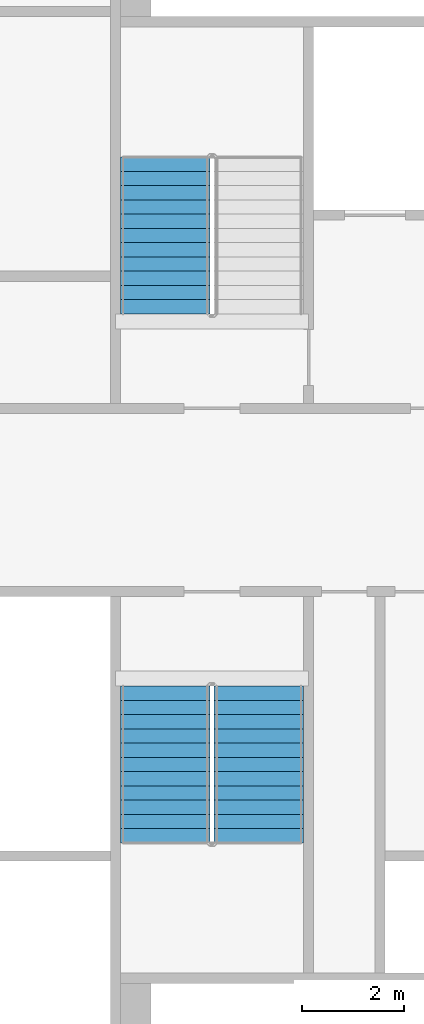
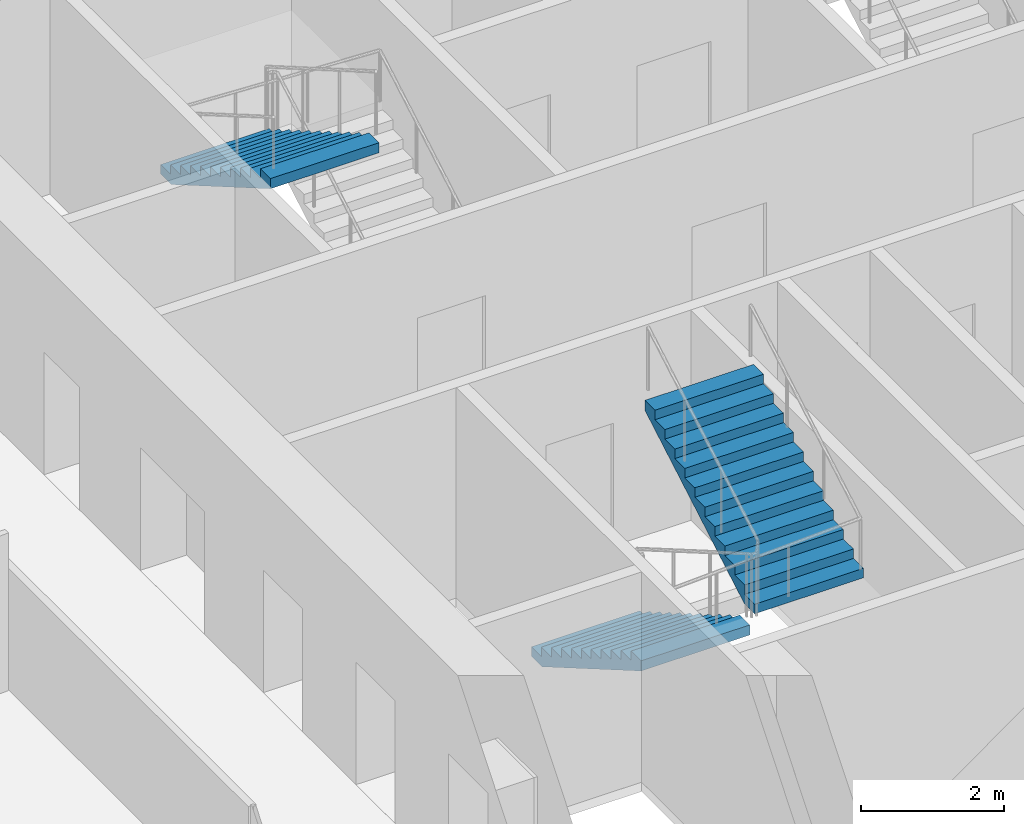
# One storey, part 8 of 13: 3 stair flights, 2 elements without a shape of their own.
"""IFC4 building model written with IfcOpenShell, lengths in metres."""

from ifc_helpers import new_model, si_unit, direction, frame, origin, place, context, subcontext, project, spatial, faceted_brep, material, type_object, element, aggregate, save


model = new_model("IFC4")

# Units and contexts
model_context = context("Model", 3, precision=1e-05, world=origin(), true_north=direction((0.0, 1.0)))
body_context = subcontext(model_context, "Body", "Model", "MODEL_VIEW")
ifc_project = project(units=[si_unit("LENGTHUNIT", "METRE"), si_unit("AREAUNIT", "SQUARE_METRE"), si_unit("VOLUMEUNIT", "CUBIC_METRE"), si_unit("PLANEANGLEUNIT", "RADIAN"), si_unit("MASSUNIT", "GRAM", prefix="KILO")], contexts=[model_context])

# Site, building, storey
site_placement = place(None, origin())
site = spatial("IfcSite", under=ifc_project, at=site_placement, CompositionType="ELEMENT")
building_placement = place(site_placement, origin())
building = spatial("IfcBuilding", under=site, at=building_placement, Name="Tarsis Ring Headquarters", CompositionType="ELEMENT")
storey_placement = place(building_placement, frame((0.0, 0.0, 135.699951171875)))
storey = spatial("IfcBuildingStorey", under=building, at=storey_placement, Name="L31", CompositionType="ELEMENT", Elevation=135.699951171875)

# Stair, stair flight
ifc_material_1 = material(Name="Core stair 1760")
stair_type = type_object("IfcStairType", Name="Core stair 1760", PredefinedType="HALF_TURN_STAIR", material=ifc_material_1)
stair_1_placement = place(storey_placement, origin())
stair_1 = element("IfcStair", 1, at=stair_1_placement, inside=storey, type_object=stair_type, Name="L31 Firefighting stair", PredefinedType="HALF_TURN_STAIR")
ifc_material_2 = material(Name="Concrete C40/50", Category="concrete")
stair_flight_type = type_object("IfcStairFlightType", Name="Core stair flight 1760", PredefinedType="STRAIGHT", material=ifc_material_2)
stair_flight_1_placement = place(storey_placement, frame((-5.419921875, 6.739990234375, 1.949951171875), z_axis=(0.0, 0.0, 1.0), x_axis=(0.0, -1.0, 0.0)))
stair_flight_1 = element("IfcStairFlight", 2, at=stair_flight_1_placement, type_object=stair_flight_type, Name="Stair ST1 flight 2", NumberOfRisers=12, NumberOfTreads=11, PredefinedType="STRAIGHT", RiserHeight=0.1625, TreadLength=0.28, context=body_context, shape_type="Brep", body=[
    faceted_brep([(0.0, 0.8798828125, 0.0), (0.0, 0.8798828125, 0.16259765625), (0.280029296875, 0.8798828125, 0.16259765625), (0.280029296875, 0.8798828125, 0.324951171875), (0.56005859375, 0.8798828125, 0.324951171875), (0.56005859375, 0.8798828125, 0.487548828125), (0.840087890625, 0.8798828125, 0.487548828125), (0.840087890625, 0.8798828125, 0.64990234375), (1.1201171875, 0.8798828125, 0.64990234375), (1.1201171875, 0.8798828125, 0.8125), (1.39990234375, 0.8798828125, 0.8125), (1.39990234375, 0.8798828125, 0.97509765625), (1.679931640625, 0.8798828125, 0.97509765625), (1.679931640625, 0.8798828125, 1.137451171875), (1.9599609375, 0.8798828125, 1.137451171875), (1.9599609375, 0.8798828125, 1.300048828125), (2.239990234375, 0.8798828125, 1.300048828125), (2.239990234375, 0.8798828125, 1.46240234375), (2.52001953125, 0.8798828125, 1.46240234375), (2.52001953125, 0.8798828125, 1.625), (2.800048828125, 0.8798828125, 1.625), (2.800048828125, 0.8798828125, 1.78759765625), (3.080078125, 0.8798828125, 1.78759765625), (3.080078125, 0.8798828125, 1.6142578125), (0.298583984375, 0.8798828125, 0.0), (0.298583984375, -0.8798828125, 0.0), (3.080078125, -0.8798828125, 1.6142578125), (3.080078125, -0.8798828125, 1.78759765625), (2.800048828125, -0.8798828125, 1.78759765625), (2.800048828125, -0.8798828125, 1.625), (2.52001953125, -0.8798828125, 1.625), (2.52001953125, -0.8798828125, 1.46240234375), (2.239990234375, -0.8798828125, 1.46240234375), (2.239990234375, -0.8798828125, 1.300048828125), (1.9599609375, -0.8798828125, 1.300048828125), (1.9599609375, -0.8798828125, 1.137451171875), (1.679931640625, -0.8798828125, 1.137451171875), (1.679931640625, -0.8798828125, 0.97509765625), (1.39990234375, -0.8798828125, 0.97509765625), (1.39990234375, -0.8798828125, 0.8125), (1.1201171875, -0.8798828125, 0.8125), (1.1201171875, -0.8798828125, 0.64990234375), (0.840087890625, -0.8798828125, 0.64990234375), (0.840087890625, -0.8798828125, 0.487548828125), (0.56005859375, -0.8798828125, 0.487548828125), (0.56005859375, -0.8798828125, 0.324951171875), (0.280029296875, -0.8798828125, 0.324951171875), (0.280029296875, -0.8798828125, 0.16259765625), (0.0, -0.8798828125, 0.16259765625), (0.0, -0.8798828125, 0.0), (0.0, -0.43994140625, 0.16259765625), (0.0, -0.43994140625, 0.0), (0.0, 0.0, 0.16259765625), (0.0, 0.0, 0.0), (0.0, 0.43994140625, 0.16259765625), (0.0, 0.43994140625, 0.0), (0.280029296875, -0.43994140625, 0.16259765625), (0.280029296875, 0.0, 0.16259765625), (0.280029296875, 0.43994140625, 0.16259765625), (0.280029296875, -0.43994140625, 0.324951171875), (0.280029296875, 0.0, 0.324951171875), (0.280029296875, 0.43994140625, 0.324951171875), (0.56005859375, -0.43994140625, 0.324951171875), (0.56005859375, 0.0, 0.324951171875), (0.56005859375, 0.43994140625, 0.324951171875), (0.56005859375, -0.43994140625, 0.487548828125), (0.56005859375, 0.0, 0.487548828125), (0.56005859375, 0.43994140625, 0.487548828125), (0.840087890625, -0.43994140625, 0.487548828125), (0.840087890625, 0.0, 0.487548828125), (0.840087890625, 0.43994140625, 0.487548828125), (0.840087890625, -0.43994140625, 0.64990234375), (0.840087890625, 0.0, 0.64990234375), (0.840087890625, 0.43994140625, 0.64990234375), (1.1201171875, -0.43994140625, 0.64990234375), (1.1201171875, 0.0, 0.64990234375), (1.1201171875, 0.43994140625, 0.64990234375), (1.1201171875, -0.43994140625, 0.8125), (1.1201171875, 0.0, 0.8125), (1.1201171875, 0.43994140625, 0.8125), (1.39990234375, -0.43994140625, 0.8125), (1.39990234375, 0.0, 0.8125), (1.39990234375, 0.43994140625, 0.8125), (1.39990234375, -0.43994140625, 0.97509765625), (1.39990234375, 0.0, 0.97509765625), (1.39990234375, 0.43994140625, 0.97509765625), (1.679931640625, -0.43994140625, 0.97509765625), (1.679931640625, 0.0, 0.97509765625), (1.679931640625, 0.43994140625, 0.97509765625), (1.679931640625, -0.43994140625, 1.137451171875), (1.679931640625, 0.0, 1.137451171875), (1.679931640625, 0.43994140625, 1.137451171875), (1.9599609375, -0.43994140625, 1.137451171875), (1.9599609375, 0.0, 1.137451171875), (1.9599609375, 0.43994140625, 1.137451171875), (1.9599609375, -0.43994140625, 1.300048828125), (1.9599609375, 0.0, 1.300048828125), (1.9599609375, 0.43994140625, 1.300048828125), (2.239990234375, -0.43994140625, 1.300048828125), (2.239990234375, 0.0, 1.300048828125), (2.239990234375, 0.43994140625, 1.300048828125), (2.239990234375, -0.43994140625, 1.46240234375), (2.239990234375, 0.0, 1.46240234375), (2.239990234375, 0.43994140625, 1.46240234375), (2.52001953125, -0.43994140625, 1.46240234375), (2.52001953125, 0.0, 1.46240234375), (2.52001953125, 0.43994140625, 1.46240234375), (2.52001953125, -0.43994140625, 1.625), (2.52001953125, 0.0, 1.625), (2.52001953125, 0.43994140625, 1.625), (2.800048828125, -0.43994140625, 1.625), (2.800048828125, 0.0, 1.625), (2.800048828125, 0.43994140625, 1.625), (2.800048828125, -0.43994140625, 1.78759765625), (2.800048828125, 0.0, 1.78759765625), (2.800048828125, 0.43994140625, 1.78759765625), (3.080078125, -0.43994140625, 1.78759765625), (3.080078125, 0.0, 1.78759765625), (3.080078125, 0.43994140625, 1.78759765625), (3.080078125, -0.43994140625, 1.6142578125), (3.080078125, 0.0, 1.6142578125), (3.080078125, 0.43994140625, 1.6142578125), (0.298583984375, -0.43994140625, 0.0), (0.298583984375, 0.0, 0.0), (0.298583984375, 0.43994140625, 0.0)], [[[0, 1, 2, 3, 4, 5, 6, 7, 8, 9, 10, 11, 12, 13, 14, 15, 16, 17, 18, 19, 20, 21, 22, 23, 24]], [[25, 26, 27, 28, 29, 30, 31, 32, 33, 34, 35, 36, 37, 38, 39, 40, 41, 42, 43, 44, 45, 46, 47, 48, 49]], [[49, 48, 50, 51]], [[51, 50, 52, 53]], [[53, 52, 54, 55]], [[55, 54, 1, 0]], [[48, 47, 56, 50]], [[50, 56, 57, 52]], [[52, 57, 58, 54]], [[54, 58, 2, 1]], [[47, 46, 59, 56]], [[56, 59, 60, 57]], [[57, 60, 61, 58]], [[58, 61, 3, 2]], [[46, 45, 62, 59]], [[59, 62, 63, 60]], [[60, 63, 64, 61]], [[61, 64, 4, 3]], [[45, 44, 65, 62]], [[62, 65, 66, 63]], [[63, 66, 67, 64]], [[64, 67, 5, 4]], [[44, 43, 68, 65]], [[65, 68, 69, 66]], [[66, 69, 70, 67]], [[67, 70, 6, 5]], [[43, 42, 71, 68]], [[68, 71, 72, 69]], [[69, 72, 73, 70]], [[70, 73, 7, 6]], [[42, 41, 74, 71]], [[71, 74, 75, 72]], [[72, 75, 76, 73]], [[73, 76, 8, 7]], [[41, 40, 77, 74]], [[74, 77, 78, 75]], [[75, 78, 79, 76]], [[76, 79, 9, 8]], [[40, 39, 80, 77]], [[77, 80, 81, 78]], [[78, 81, 82, 79]], [[79, 82, 10, 9]], [[39, 38, 83, 80]], [[80, 83, 84, 81]], [[81, 84, 85, 82]], [[82, 85, 11, 10]], [[38, 37, 86, 83]], [[83, 86, 87, 84]], [[84, 87, 88, 85]], [[85, 88, 12, 11]], [[37, 36, 89, 86]], [[86, 89, 90, 87]], [[87, 90, 91, 88]], [[88, 91, 13, 12]], [[36, 35, 92, 89]], [[89, 92, 93, 90]], [[90, 93, 94, 91]], [[91, 94, 14, 13]], [[35, 34, 95, 92]], [[92, 95, 96, 93]], [[93, 96, 97, 94]], [[94, 97, 15, 14]], [[34, 33, 98, 95]], [[95, 98, 99, 96]], [[96, 99, 100, 97]], [[97, 100, 16, 15]], [[33, 32, 101, 98]], [[98, 101, 102, 99]], [[99, 102, 103, 100]], [[100, 103, 17, 16]], [[32, 31, 104, 101]], [[101, 104, 105, 102]], [[102, 105, 106, 103]], [[103, 106, 18, 17]], [[31, 30, 107, 104]], [[104, 107, 108, 105]], [[105, 108, 109, 106]], [[106, 109, 19, 18]], [[30, 29, 110, 107]], [[107, 110, 111, 108]], [[108, 111, 112, 109]], [[109, 112, 20, 19]], [[29, 28, 113, 110]], [[110, 113, 114, 111]], [[111, 114, 115, 112]], [[112, 115, 21, 20]], [[28, 27, 116, 113]], [[113, 116, 117, 114]], [[114, 117, 118, 115]], [[115, 118, 22, 21]], [[27, 26, 119, 116]], [[116, 119, 120, 117]], [[117, 120, 121, 118]], [[118, 121, 23, 22]], [[26, 25, 122, 119]], [[119, 122, 123, 120]], [[120, 123, 124, 121]], [[121, 124, 24, 23]], [[25, 49, 51, 122]], [[122, 51, 53, 123]], [[123, 53, 55, 124]], [[124, 55, 0, 24]]]),
])
aggregate(stair_1, [stair_flight_1])

# Stair, stair flights
stair_2_placement = place(storey_placement, origin())
stair_2 = element("IfcStair", 3, at=stair_2_placement, inside=storey, type_object=stair_type, Name="L31 Exit stair C", PredefinedType="HALF_TURN_STAIR")
stair_flight_2_placement = place(storey_placement, frame((-5.419921875, -3.659912109375, 0.0), z_axis=(0.0, 0.0, 1.0), x_axis=(0.0, -1.0, 0.0)))
stair_flight_2 = element("IfcStairFlight", 4, at=stair_flight_2_placement, type_object=stair_flight_type, Name="Stair ST3 flight 1", NumberOfRisers=12, NumberOfTreads=11, PredefinedType="STRAIGHT", RiserHeight=0.1625, TreadLength=0.28, context=body_context, shape_type="Brep", body=[
    faceted_brep([(0.0, 0.8798828125, 0.0), (0.0, 0.8798828125, 0.16259765625), (0.280029296875, 0.8798828125, 0.16259765625), (0.280029296875, 0.8798828125, 0.324951171875), (0.56005859375, 0.8798828125, 0.324951171875), (0.56005859375, 0.8798828125, 0.487548828125), (0.840087890625, 0.8798828125, 0.487548828125), (0.840087890625, 0.8798828125, 0.64990234375), (1.1201171875, 0.8798828125, 0.64990234375), (1.1201171875, 0.8798828125, 0.8125), (1.39990234375, 0.8798828125, 0.8125), (1.39990234375, 0.8798828125, 0.97509765625), (1.679931640625, 0.8798828125, 0.97509765625), (1.679931640625, 0.8798828125, 1.137451171875), (1.9599609375, 0.8798828125, 1.137451171875), (1.9599609375, 0.8798828125, 1.300048828125), (2.239990234375, 0.8798828125, 1.300048828125), (2.239990234375, 0.8798828125, 1.46240234375), (2.52001953125, 0.8798828125, 1.46240234375), (2.52001953125, 0.8798828125, 1.625), (2.800048828125, 0.8798828125, 1.625), (2.800048828125, 0.8798828125, 1.78759765625), (3.080078125, 0.8798828125, 1.78759765625), (3.080078125, 0.8798828125, 1.6142578125), (0.298583984375, 0.8798828125, 0.0), (0.298583984375, -0.8798828125, 0.0), (3.080078125, -0.8798828125, 1.6142578125), (3.080078125, -0.8798828125, 1.78759765625), (2.800048828125, -0.8798828125, 1.78759765625), (2.800048828125, -0.8798828125, 1.625), (2.52001953125, -0.8798828125, 1.625), (2.52001953125, -0.8798828125, 1.46240234375), (2.239990234375, -0.8798828125, 1.46240234375), (2.239990234375, -0.8798828125, 1.300048828125), (1.9599609375, -0.8798828125, 1.300048828125), (1.9599609375, -0.8798828125, 1.137451171875), (1.679931640625, -0.8798828125, 1.137451171875), (1.679931640625, -0.8798828125, 0.97509765625), (1.39990234375, -0.8798828125, 0.97509765625), (1.39990234375, -0.8798828125, 0.8125), (1.1201171875, -0.8798828125, 0.8125), (1.1201171875, -0.8798828125, 0.64990234375), (0.840087890625, -0.8798828125, 0.64990234375), (0.840087890625, -0.8798828125, 0.487548828125), (0.56005859375, -0.8798828125, 0.487548828125), (0.56005859375, -0.8798828125, 0.324951171875), (0.280029296875, -0.8798828125, 0.324951171875), (0.280029296875, -0.8798828125, 0.16259765625), (0.0, -0.8798828125, 0.16259765625), (0.0, -0.8798828125, 0.0), (0.0, -0.43994140625, 0.16259765625), (0.0, -0.43994140625, 0.0), (0.0, 0.0, 0.16259765625), (0.0, 0.0, 0.0), (0.0, 0.43994140625, 0.16259765625), (0.0, 0.43994140625, 0.0), (0.280029296875, -0.43994140625, 0.16259765625), (0.280029296875, 0.0, 0.16259765625), (0.280029296875, 0.43994140625, 0.16259765625), (0.280029296875, -0.43994140625, 0.324951171875), (0.280029296875, 0.0, 0.324951171875), (0.280029296875, 0.43994140625, 0.324951171875), (0.56005859375, -0.43994140625, 0.324951171875), (0.56005859375, 0.0, 0.324951171875), (0.56005859375, 0.43994140625, 0.324951171875), (0.56005859375, -0.43994140625, 0.487548828125), (0.56005859375, 0.0, 0.487548828125), (0.56005859375, 0.43994140625, 0.487548828125), (0.840087890625, -0.43994140625, 0.487548828125), (0.840087890625, 0.0, 0.487548828125), (0.840087890625, 0.43994140625, 0.487548828125), (0.840087890625, -0.43994140625, 0.64990234375), (0.840087890625, 0.0, 0.64990234375), (0.840087890625, 0.43994140625, 0.64990234375), (1.1201171875, -0.43994140625, 0.64990234375), (1.1201171875, 0.0, 0.64990234375), (1.1201171875, 0.43994140625, 0.64990234375), (1.1201171875, -0.43994140625, 0.8125), (1.1201171875, 0.0, 0.8125), (1.1201171875, 0.43994140625, 0.8125), (1.39990234375, -0.43994140625, 0.8125), (1.39990234375, 0.0, 0.8125), (1.39990234375, 0.43994140625, 0.8125), (1.39990234375, -0.43994140625, 0.97509765625), (1.39990234375, 0.0, 0.97509765625), (1.39990234375, 0.43994140625, 0.97509765625), (1.679931640625, -0.43994140625, 0.97509765625), (1.679931640625, 0.0, 0.97509765625), (1.679931640625, 0.43994140625, 0.97509765625), (1.679931640625, -0.43994140625, 1.137451171875), (1.679931640625, 0.0, 1.137451171875), (1.679931640625, 0.43994140625, 1.137451171875), (1.9599609375, -0.43994140625, 1.137451171875), (1.9599609375, 0.0, 1.137451171875), (1.9599609375, 0.43994140625, 1.137451171875), (1.9599609375, -0.43994140625, 1.300048828125), (1.9599609375, 0.0, 1.300048828125), (1.9599609375, 0.43994140625, 1.300048828125), (2.239990234375, -0.43994140625, 1.300048828125), (2.239990234375, 0.0, 1.300048828125), (2.239990234375, 0.43994140625, 1.300048828125), (2.239990234375, -0.43994140625, 1.46240234375), (2.239990234375, 0.0, 1.46240234375), (2.239990234375, 0.43994140625, 1.46240234375), (2.52001953125, -0.43994140625, 1.46240234375), (2.52001953125, 0.0, 1.46240234375), (2.52001953125, 0.43994140625, 1.46240234375), (2.52001953125, -0.43994140625, 1.625), (2.52001953125, 0.0, 1.625), (2.52001953125, 0.43994140625, 1.625), (2.800048828125, -0.43994140625, 1.625), (2.800048828125, 0.0, 1.625), (2.800048828125, 0.43994140625, 1.625), (2.800048828125, -0.43994140625, 1.78759765625), (2.800048828125, 0.0, 1.78759765625), (2.800048828125, 0.43994140625, 1.78759765625), (3.080078125, -0.43994140625, 1.78759765625), (3.080078125, 0.0, 1.78759765625), (3.080078125, 0.43994140625, 1.78759765625), (3.080078125, -0.43994140625, 1.6142578125), (3.080078125, 0.0, 1.6142578125), (3.080078125, 0.43994140625, 1.6142578125), (0.298583984375, -0.43994140625, 0.0), (0.298583984375, 0.0, 0.0), (0.298583984375, 0.43994140625, 0.0)], [[[0, 1, 2, 3, 4, 5, 6, 7, 8, 9, 10, 11, 12, 13, 14, 15, 16, 17, 18, 19, 20, 21, 22, 23, 24]], [[25, 26, 27, 28, 29, 30, 31, 32, 33, 34, 35, 36, 37, 38, 39, 40, 41, 42, 43, 44, 45, 46, 47, 48, 49]], [[49, 48, 50, 51]], [[51, 50, 52, 53]], [[53, 52, 54, 55]], [[55, 54, 1, 0]], [[48, 47, 56, 50]], [[50, 56, 57, 52]], [[52, 57, 58, 54]], [[54, 58, 2, 1]], [[47, 46, 59, 56]], [[56, 59, 60, 57]], [[57, 60, 61, 58]], [[58, 61, 3, 2]], [[46, 45, 62, 59]], [[59, 62, 63, 60]], [[60, 63, 64, 61]], [[61, 64, 4, 3]], [[45, 44, 65, 62]], [[62, 65, 66, 63]], [[63, 66, 67, 64]], [[64, 67, 5, 4]], [[44, 43, 68, 65]], [[65, 68, 69, 66]], [[66, 69, 70, 67]], [[67, 70, 6, 5]], [[43, 42, 71, 68]], [[68, 71, 72, 69]], [[69, 72, 73, 70]], [[70, 73, 7, 6]], [[42, 41, 74, 71]], [[71, 74, 75, 72]], [[72, 75, 76, 73]], [[73, 76, 8, 7]], [[41, 40, 77, 74]], [[74, 77, 78, 75]], [[75, 78, 79, 76]], [[76, 79, 9, 8]], [[40, 39, 80, 77]], [[77, 80, 81, 78]], [[78, 81, 82, 79]], [[79, 82, 10, 9]], [[39, 38, 83, 80]], [[80, 83, 84, 81]], [[81, 84, 85, 82]], [[82, 85, 11, 10]], [[38, 37, 86, 83]], [[83, 86, 87, 84]], [[84, 87, 88, 85]], [[85, 88, 12, 11]], [[37, 36, 89, 86]], [[86, 89, 90, 87]], [[87, 90, 91, 88]], [[88, 91, 13, 12]], [[36, 35, 92, 89]], [[89, 92, 93, 90]], [[90, 93, 94, 91]], [[91, 94, 14, 13]], [[35, 34, 95, 92]], [[92, 95, 96, 93]], [[93, 96, 97, 94]], [[94, 97, 15, 14]], [[34, 33, 98, 95]], [[95, 98, 99, 96]], [[96, 99, 100, 97]], [[97, 100, 16, 15]], [[33, 32, 101, 98]], [[98, 101, 102, 99]], [[99, 102, 103, 100]], [[100, 103, 17, 16]], [[32, 31, 104, 101]], [[101, 104, 105, 102]], [[102, 105, 106, 103]], [[103, 106, 18, 17]], [[31, 30, 107, 104]], [[104, 107, 108, 105]], [[105, 108, 109, 106]], [[106, 109, 19, 18]], [[30, 29, 110, 107]], [[107, 110, 111, 108]], [[108, 111, 112, 109]], [[109, 112, 20, 19]], [[29, 28, 113, 110]], [[110, 113, 114, 111]], [[111, 114, 115, 112]], [[112, 115, 21, 20]], [[28, 27, 116, 113]], [[113, 116, 117, 114]], [[114, 117, 118, 115]], [[115, 118, 22, 21]], [[27, 26, 119, 116]], [[116, 119, 120, 117]], [[117, 120, 121, 118]], [[118, 121, 23, 22]], [[26, 25, 122, 119]], [[119, 122, 123, 120]], [[120, 123, 124, 121]], [[121, 124, 24, 23]], [[25, 49, 51, 122]], [[122, 51, 53, 123]], [[123, 53, 55, 124]], [[124, 55, 0, 24]]]),
])
stair_flight_3_placement = place(storey_placement, frame((-3.580078125, -6.739990234375, 1.949951171875), z_axis=(0.0, 0.0, 1.0), x_axis=(0.0, 1.0, 0.0)))
stair_flight_3 = element("IfcStairFlight", 5, at=stair_flight_3_placement, type_object=stair_flight_type, Name="Stair ST3 flight 2", NumberOfRisers=12, NumberOfTreads=11, PredefinedType="STRAIGHT", RiserHeight=0.1625, TreadLength=0.28, context=body_context, shape_type="Brep", body=[
    faceted_brep([(0.0, 0.8798828125, 0.0), (0.0, 0.8798828125, 0.16259765625), (0.280029296875, 0.8798828125, 0.16259765625), (0.280029296875, 0.8798828125, 0.324951171875), (0.56005859375, 0.8798828125, 0.324951171875), (0.56005859375, 0.8798828125, 0.487548828125), (0.840087890625, 0.8798828125, 0.487548828125), (0.840087890625, 0.8798828125, 0.64990234375), (1.1201171875, 0.8798828125, 0.64990234375), (1.1201171875, 0.8798828125, 0.8125), (1.39990234375, 0.8798828125, 0.8125), (1.39990234375, 0.8798828125, 0.97509765625), (1.679931640625, 0.8798828125, 0.97509765625), (1.679931640625, 0.8798828125, 1.137451171875), (1.9599609375, 0.8798828125, 1.137451171875), (1.9599609375, 0.8798828125, 1.300048828125), (2.239990234375, 0.8798828125, 1.300048828125), (2.239990234375, 0.8798828125, 1.46240234375), (2.52001953125, 0.8798828125, 1.46240234375), (2.52001953125, 0.8798828125, 1.625), (2.800048828125, 0.8798828125, 1.625), (2.800048828125, 0.8798828125, 1.78759765625), (3.080078125, 0.8798828125, 1.78759765625), (3.080078125, 0.8798828125, 1.6142578125), (0.298583984375, 0.8798828125, 0.0), (0.298583984375, -0.8798828125, 0.0), (3.080078125, -0.8798828125, 1.6142578125), (3.080078125, -0.8798828125, 1.78759765625), (2.800048828125, -0.8798828125, 1.78759765625), (2.800048828125, -0.8798828125, 1.625), (2.52001953125, -0.8798828125, 1.625), (2.52001953125, -0.8798828125, 1.46240234375), (2.239990234375, -0.8798828125, 1.46240234375), (2.239990234375, -0.8798828125, 1.300048828125), (1.9599609375, -0.8798828125, 1.300048828125), (1.9599609375, -0.8798828125, 1.137451171875), (1.679931640625, -0.8798828125, 1.137451171875), (1.679931640625, -0.8798828125, 0.97509765625), (1.39990234375, -0.8798828125, 0.97509765625), (1.39990234375, -0.8798828125, 0.8125), (1.1201171875, -0.8798828125, 0.8125), (1.1201171875, -0.8798828125, 0.64990234375), (0.840087890625, -0.8798828125, 0.64990234375), (0.840087890625, -0.8798828125, 0.487548828125), (0.56005859375, -0.8798828125, 0.487548828125), (0.56005859375, -0.8798828125, 0.324951171875), (0.280029296875, -0.8798828125, 0.324951171875), (0.280029296875, -0.8798828125, 0.16259765625), (0.0, -0.8798828125, 0.16259765625), (0.0, -0.8798828125, 0.0), (0.0, -0.43994140625, 0.16259765625), (0.0, -0.43994140625, 0.0), (0.0, 0.0, 0.16259765625), (0.0, 0.0, 0.0), (0.0, 0.43994140625, 0.16259765625), (0.0, 0.43994140625, 0.0), (0.280029296875, -0.43994140625, 0.16259765625), (0.280029296875, 0.0, 0.16259765625), (0.280029296875, 0.43994140625, 0.16259765625), (0.280029296875, -0.43994140625, 0.324951171875), (0.280029296875, 0.0, 0.324951171875), (0.280029296875, 0.43994140625, 0.324951171875), (0.56005859375, -0.43994140625, 0.324951171875), (0.56005859375, 0.0, 0.324951171875), (0.56005859375, 0.43994140625, 0.324951171875), (0.56005859375, -0.43994140625, 0.487548828125), (0.56005859375, 0.0, 0.487548828125), (0.56005859375, 0.43994140625, 0.487548828125), (0.840087890625, -0.43994140625, 0.487548828125), (0.840087890625, 0.0, 0.487548828125), (0.840087890625, 0.43994140625, 0.487548828125), (0.840087890625, -0.43994140625, 0.64990234375), (0.840087890625, 0.0, 0.64990234375), (0.840087890625, 0.43994140625, 0.64990234375), (1.1201171875, -0.43994140625, 0.64990234375), (1.1201171875, 0.0, 0.64990234375), (1.1201171875, 0.43994140625, 0.64990234375), (1.1201171875, -0.43994140625, 0.8125), (1.1201171875, 0.0, 0.8125), (1.1201171875, 0.43994140625, 0.8125), (1.39990234375, -0.43994140625, 0.8125), (1.39990234375, 0.0, 0.8125), (1.39990234375, 0.43994140625, 0.8125), (1.39990234375, -0.43994140625, 0.97509765625), (1.39990234375, 0.0, 0.97509765625), (1.39990234375, 0.43994140625, 0.97509765625), (1.679931640625, -0.43994140625, 0.97509765625), (1.679931640625, 0.0, 0.97509765625), (1.679931640625, 0.43994140625, 0.97509765625), (1.679931640625, -0.43994140625, 1.137451171875), (1.679931640625, 0.0, 1.137451171875), (1.679931640625, 0.43994140625, 1.137451171875), (1.9599609375, -0.43994140625, 1.137451171875), (1.9599609375, 0.0, 1.137451171875), (1.9599609375, 0.43994140625, 1.137451171875), (1.9599609375, -0.43994140625, 1.300048828125), (1.9599609375, 0.0, 1.300048828125), (1.9599609375, 0.43994140625, 1.300048828125), (2.239990234375, -0.43994140625, 1.300048828125), (2.239990234375, 0.0, 1.300048828125), (2.239990234375, 0.43994140625, 1.300048828125), (2.239990234375, -0.43994140625, 1.46240234375), (2.239990234375, 0.0, 1.46240234375), (2.239990234375, 0.43994140625, 1.46240234375), (2.52001953125, -0.43994140625, 1.46240234375), (2.52001953125, 0.0, 1.46240234375), (2.52001953125, 0.43994140625, 1.46240234375), (2.52001953125, -0.43994140625, 1.625), (2.52001953125, 0.0, 1.625), (2.52001953125, 0.43994140625, 1.625), (2.800048828125, -0.43994140625, 1.625), (2.800048828125, 0.0, 1.625), (2.800048828125, 0.43994140625, 1.625), (2.800048828125, -0.43994140625, 1.78759765625), (2.800048828125, 0.0, 1.78759765625), (2.800048828125, 0.43994140625, 1.78759765625), (3.080078125, -0.43994140625, 1.78759765625), (3.080078125, 0.0, 1.78759765625), (3.080078125, 0.43994140625, 1.78759765625), (3.080078125, -0.43994140625, 1.6142578125), (3.080078125, 0.0, 1.6142578125), (3.080078125, 0.43994140625, 1.6142578125), (0.298583984375, -0.43994140625, 0.0), (0.298583984375, 0.0, 0.0), (0.298583984375, 0.43994140625, 0.0)], [[[0, 1, 2, 3, 4, 5, 6, 7, 8, 9, 10, 11, 12, 13, 14, 15, 16, 17, 18, 19, 20, 21, 22, 23, 24]], [[25, 26, 27, 28, 29, 30, 31, 32, 33, 34, 35, 36, 37, 38, 39, 40, 41, 42, 43, 44, 45, 46, 47, 48, 49]], [[49, 48, 50, 51]], [[51, 50, 52, 53]], [[53, 52, 54, 55]], [[55, 54, 1, 0]], [[48, 47, 56, 50]], [[50, 56, 57, 52]], [[52, 57, 58, 54]], [[54, 58, 2, 1]], [[47, 46, 59, 56]], [[56, 59, 60, 57]], [[57, 60, 61, 58]], [[58, 61, 3, 2]], [[46, 45, 62, 59]], [[59, 62, 63, 60]], [[60, 63, 64, 61]], [[61, 64, 4, 3]], [[45, 44, 65, 62]], [[62, 65, 66, 63]], [[63, 66, 67, 64]], [[64, 67, 5, 4]], [[44, 43, 68, 65]], [[65, 68, 69, 66]], [[66, 69, 70, 67]], [[67, 70, 6, 5]], [[43, 42, 71, 68]], [[68, 71, 72, 69]], [[69, 72, 73, 70]], [[70, 73, 7, 6]], [[42, 41, 74, 71]], [[71, 74, 75, 72]], [[72, 75, 76, 73]], [[73, 76, 8, 7]], [[41, 40, 77, 74]], [[74, 77, 78, 75]], [[75, 78, 79, 76]], [[76, 79, 9, 8]], [[40, 39, 80, 77]], [[77, 80, 81, 78]], [[78, 81, 82, 79]], [[79, 82, 10, 9]], [[39, 38, 83, 80]], [[80, 83, 84, 81]], [[81, 84, 85, 82]], [[82, 85, 11, 10]], [[38, 37, 86, 83]], [[83, 86, 87, 84]], [[84, 87, 88, 85]], [[85, 88, 12, 11]], [[37, 36, 89, 86]], [[86, 89, 90, 87]], [[87, 90, 91, 88]], [[88, 91, 13, 12]], [[36, 35, 92, 89]], [[89, 92, 93, 90]], [[90, 93, 94, 91]], [[91, 94, 14, 13]], [[35, 34, 95, 92]], [[92, 95, 96, 93]], [[93, 96, 97, 94]], [[94, 97, 15, 14]], [[34, 33, 98, 95]], [[95, 98, 99, 96]], [[96, 99, 100, 97]], [[97, 100, 16, 15]], [[33, 32, 101, 98]], [[98, 101, 102, 99]], [[99, 102, 103, 100]], [[100, 103, 17, 16]], [[32, 31, 104, 101]], [[101, 104, 105, 102]], [[102, 105, 106, 103]], [[103, 106, 18, 17]], [[31, 30, 107, 104]], [[104, 107, 108, 105]], [[105, 108, 109, 106]], [[106, 109, 19, 18]], [[30, 29, 110, 107]], [[107, 110, 111, 108]], [[108, 111, 112, 109]], [[109, 112, 20, 19]], [[29, 28, 113, 110]], [[110, 113, 114, 111]], [[111, 114, 115, 112]], [[112, 115, 21, 20]], [[28, 27, 116, 113]], [[113, 116, 117, 114]], [[114, 117, 118, 115]], [[115, 118, 22, 21]], [[27, 26, 119, 116]], [[116, 119, 120, 117]], [[117, 120, 121, 118]], [[118, 121, 23, 22]], [[26, 25, 122, 119]], [[119, 122, 123, 120]], [[120, 123, 124, 121]], [[121, 124, 24, 23]], [[25, 49, 51, 122]], [[122, 51, 53, 123]], [[123, 53, 55, 124]], [[124, 55, 0, 24]]]),
])
aggregate(stair_2, [stair_flight_2, stair_flight_3])

save(model, "model.ifc")
